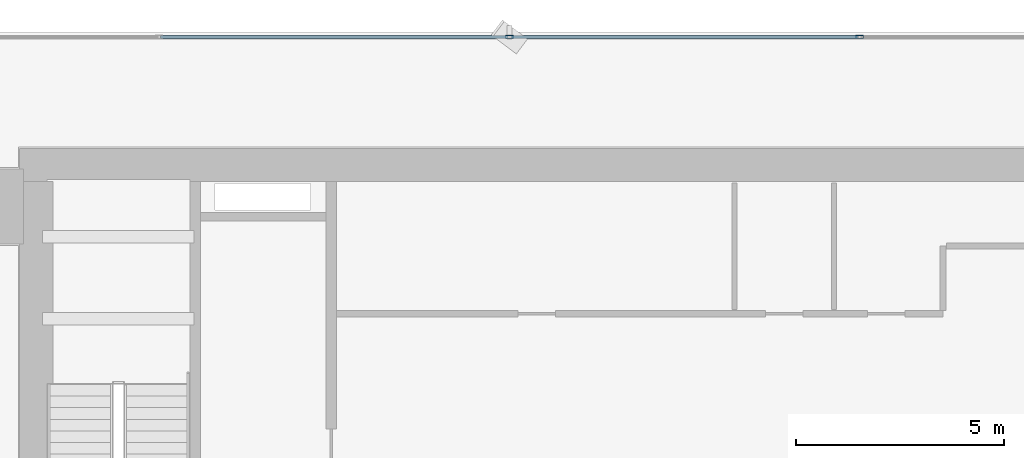
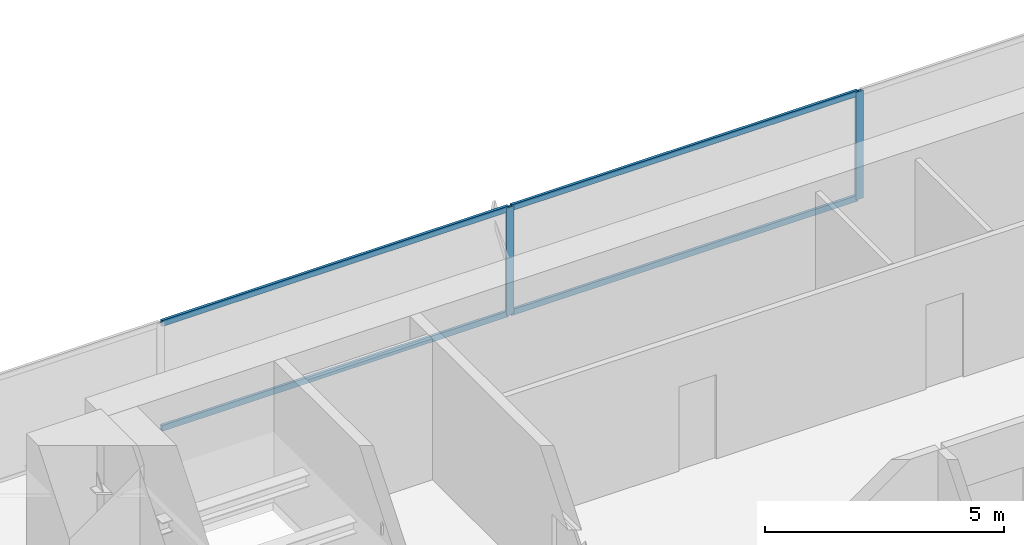
# One storey, part 18 of 32: 6 members, 1 element without a shape of its own.
"""IFC4 building model written with IfcOpenShell, lengths in metres."""

from ifc_helpers import new_model, si_unit, direction, frame, origin, origin_2d, place, context, subcontext, project, spatial, hollow_rectangle, extrude, source, transform, mapped, material, layer, layer_set, material_profile, profile_set, type_object, element, aggregate, save


model = new_model("IFC4")

# Units and contexts
model_context = context("Model", 3, precision=1e-05, world=origin(), true_north=direction((0.0, 1.0)))
body_context = subcontext(model_context, "Body", "Model", "MODEL_VIEW")
ifc_project = project(units=[si_unit("LENGTHUNIT", "METRE"), si_unit("AREAUNIT", "SQUARE_METRE"), si_unit("VOLUMEUNIT", "CUBIC_METRE"), si_unit("PLANEANGLEUNIT", "RADIAN"), si_unit("MASSUNIT", "GRAM", prefix="KILO")], contexts=[model_context])

# Site, building, storey
site_placement = place(None, origin())
site = spatial("IfcSite", under=ifc_project, at=site_placement, CompositionType="ELEMENT")
building_placement = place(site_placement, origin())
building = spatial("IfcBuilding", under=site, at=building_placement, Name="Sumidabori Civic Tower", CompositionType="ELEMENT")
storey_placement = place(building_placement, frame((0.0, 0.0, 52.39990234375)))
storey = spatial("IfcBuildingStorey", under=building, at=storey_placement, Name="L13", CompositionType="ELEMENT", Elevation=52.39990234375)

# Curtain wall, members
ifc_material = material(Name="Anodised Bronze Aluminium AW-6063-T6", Category="aluminium")
ifc_layer = layer(ifc_material, 0.179931640625, Name="Anodised Bronze Aluminium AW-6063-T6")
ifc_layer_set = layer_set([ifc_layer], Name="Anodised Bronze Aluminium AW-6063-T6")
curtain_wall_type = type_object("IfcCurtainWallType", Name="CW-SYS-2", PredefinedType="NOTDEFINED", material=ifc_layer_set)
curtain_wall_placement = place(storey_placement, origin())
curtain_wall = element("IfcCurtainWall", 1, at=curtain_wall_placement, inside=storey, type_object=curtain_wall_type, Name="Curtain Wall CW:L13:R07", PredefinedType="NOTDEFINED")
ifc_material_profile_1 = material_profile(ifc_material, hollow_rectangle(XDim=0.070068359375, YDim=0.179931640625, WallThickness=0.006103515625, at=origin_2d()), Name="ALU MULLION 180x70")
ifc_profile_set_1 = profile_set([ifc_material_profile_1], Name="Anodised Bronze Aluminium AW-6063-T6")
member_type_1 = type_object("IfcMemberType", Name="CW-MUL-180", PredefinedType="MULLION", material=ifc_profile_set_1)
shared_shape_1 = source(origin(), body_context, "Body", "SweptSolid", [
    extrude(hollow_rectangle(XDim=0.070068359375, YDim=0.179931640625, WallThickness=0.006103515625, at=origin_2d()), origin(), (0.0, 0.0, 1.0), 2.739990234375),
])
member_1_placement = place(storey_placement, frame((4.214111328125, 26.8798828125, 0.0), z_axis=(0.0, 0.0, 1.0), x_axis=(0.0, -1.0, 0.0)))
member_1 = element("IfcMember", 2, at=member_1_placement, type_object=member_type_1, Name="CW-2 mullion 3", PredefinedType="MULLION", context=body_context, shape_type="MappedRepresentation", body=[
    mapped(shared_shape_1, transform((0.0, 0.0, 0.0), x_axis=(1.0, 0.0, 0.0), y_axis=(0.0, 1.0, 0.0), z_axis=(0.0, 0.0, 1.0), scale=1.0)),
])
member_2_placement = place(storey_placement, frame((-4.214111328125, 26.8798828125, 0.0), z_axis=(0.0, 0.0, 1.0), x_axis=(0.0, -1.0, 0.0)))
member_2 = element("IfcMember", 3, at=member_2_placement, type_object=member_type_1, Name="CW-2 mullion 4", PredefinedType="MULLION", context=body_context, shape_type="MappedRepresentation", body=[
    mapped(shared_shape_1, transform((0.0, 0.0, 0.0), x_axis=(1.0, 0.0, 0.0), y_axis=(0.0, 1.0, 0.0), z_axis=(0.0, 0.0, 1.0), scale=1.0)),
])
ifc_material_profile_2 = material_profile(ifc_material, hollow_rectangle(XDim=0.06494140625, YDim=0.14990234375, WallThickness=0.0048828125, at=origin_2d()), Name="ALU TRANSOM 150x65")
ifc_profile_set_2 = profile_set([ifc_material_profile_2], Name="Anodised Bronze Aluminium AW-6063-T6")
member_type_2 = type_object("IfcMemberType", Name="CW-TRN-150", PredefinedType="USERDEFINED", material=ifc_profile_set_2)
shared_shape_2 = source(origin(), body_context, "Body", "SweptSolid", [
    extrude(hollow_rectangle(XDim=0.06494140625, YDim=0.14990234375, WallThickness=0.0048828125, at=origin_2d()), origin(), (0.0, 0.0, 1.0), 8.35791015625),
])
member_3_placement = place(storey_placement, frame((4.178955078125, 26.8798828125, 0.03271484375), z_axis=(-1.0, 0.0, 0.0), x_axis=(0.0, -1.0, 0.0)))
member_3 = element("IfcMember", 4, at=member_3_placement, type_object=member_type_2, Name="CW-2 transom 3.1", ObjectType="TRANSOM", PredefinedType="USERDEFINED", context=body_context, shape_type="MappedRepresentation", body=[
    mapped(shared_shape_2, transform((0.0, 0.0, 0.0), x_axis=(1.0, 0.0, 0.0), y_axis=(0.0, 1.0, 0.0), z_axis=(0.0, 0.0, 1.0), scale=1.0)),
])
member_4_placement = place(storey_placement, frame((4.178955078125, 26.8798828125, 2.70751953125), z_axis=(-1.0, 0.0, 0.0), x_axis=(0.0, -1.0, 0.0)))
member_4 = element("IfcMember", 5, at=member_4_placement, type_object=member_type_2, Name="CW-2 transom 3.2", ObjectType="TRANSOM", PredefinedType="USERDEFINED", context=body_context, shape_type="MappedRepresentation", body=[
    mapped(shared_shape_2, transform((0.0, 0.0, 0.0), x_axis=(1.0, 0.0, 0.0), y_axis=(0.0, 1.0, 0.0), z_axis=(0.0, 0.0, 1.0), scale=1.0)),
])
member_5_placement = place(storey_placement, frame((-4.2490234375, 26.8798828125, 0.03271484375), z_axis=(-1.0, 0.0, 0.0), x_axis=(0.0, -1.0, 0.0)))
member_5 = element("IfcMember", 6, at=member_5_placement, type_object=member_type_2, Name="CW-2 transom 4.1", ObjectType="TRANSOM", PredefinedType="USERDEFINED", context=body_context, shape_type="MappedRepresentation", body=[
    mapped(shared_shape_2, transform((0.0, 0.0, 0.0), x_axis=(1.0, 0.0, 0.0), y_axis=(0.0, 1.0, 0.0), z_axis=(0.0, 0.0, 1.0), scale=1.0)),
])
member_6_placement = place(storey_placement, frame((-4.2490234375, 26.8798828125, 2.70751953125), z_axis=(-1.0, 0.0, 0.0), x_axis=(0.0, -1.0, 0.0)))
member_6 = element("IfcMember", 7, at=member_6_placement, type_object=member_type_2, Name="CW-2 transom 4.2", ObjectType="TRANSOM", PredefinedType="USERDEFINED", context=body_context, shape_type="MappedRepresentation", body=[
    mapped(shared_shape_2, transform((0.0, 0.0, 0.0), x_axis=(1.0, 0.0, 0.0), y_axis=(0.0, 1.0, 0.0), z_axis=(0.0, 0.0, 1.0), scale=1.0)),
])
aggregate(curtain_wall, [member_1, member_2, member_3, member_4, member_5, member_6])

save(model, "model.ifc")
